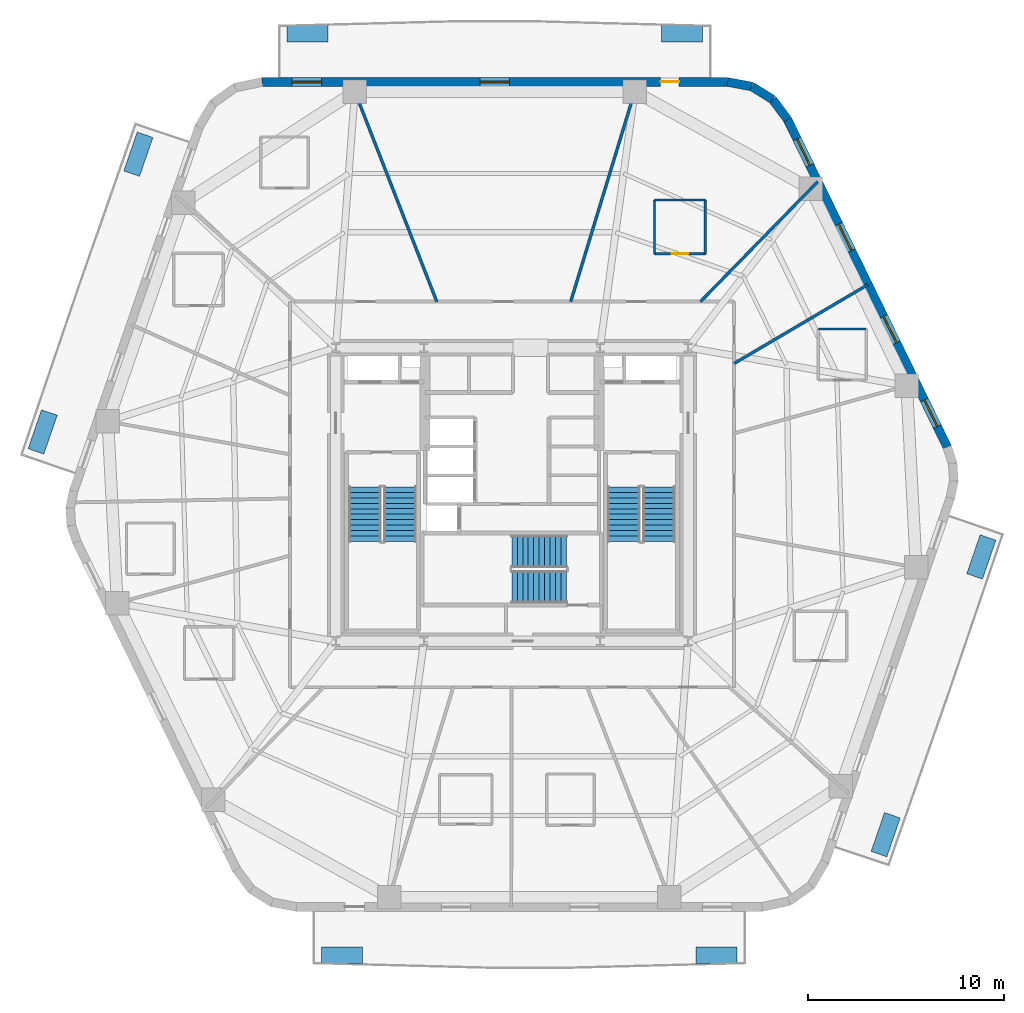
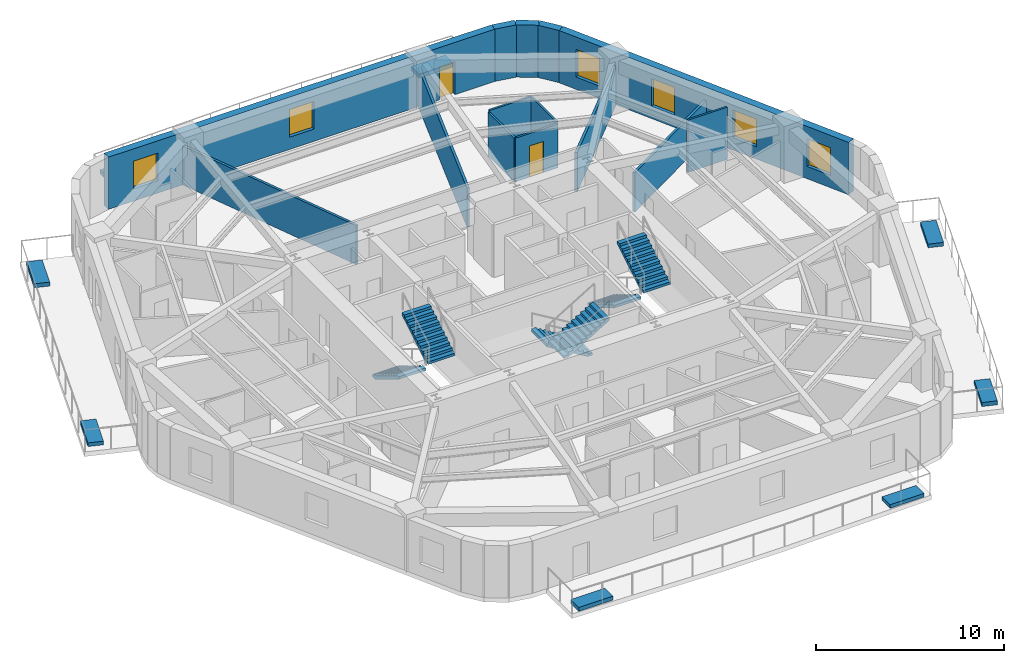
# One storey, part 6 of 8: 14 walls, 8 discrete accessories, 6 stair flights, 6 windows, 2 doors, 8 openings, 3 elements without a shape of their own.
"""IFC4 building model written with IfcOpenShell, lengths in metres."""

from ifc_helpers import new_model, si_unit, direction, frame, frame_2d, origin, origin_2d, place, context, subcontext, project, spatial, polyline, rectangle, outline, extrude, material, layer, layer_set, type_object, element, fill, aggregate, save


model = new_model("IFC4")

# Units and contexts
model_context = context("Model", 3, precision=1e-05, world=origin(), true_north=direction((0.0, 1.0)))
body_context = subcontext(model_context, "Body", "Model", "MODEL_VIEW")
ifc_project = project(units=[si_unit("LENGTHUNIT", "METRE"), si_unit("AREAUNIT", "SQUARE_METRE"), si_unit("VOLUMEUNIT", "CUBIC_METRE"), si_unit("PLANEANGLEUNIT", "RADIAN"), si_unit("MASSUNIT", "GRAM", prefix="KILO")], contexts=[model_context])

# Site, building, storey
site_placement = place(None, origin())
site = spatial("IfcSite", under=ifc_project, at=site_placement, CompositionType="ELEMENT")
building_placement = place(site_placement, origin())
building = spatial("IfcBuilding", under=site, at=building_placement, Name="Kilnhurst Terrace Hotel", CompositionType="ELEMENT")
storey_placement = place(building_placement, frame((0.0, 0.0, 106.199951171875)))
storey = spatial("IfcBuildingStorey", under=building, at=storey_placement, Name="L25", CompositionType="ELEMENT", Elevation=106.199951171875)

# Walls
ifc_material_1 = material(Name="Precast concrete C40/50", Category="concrete")
ifc_layer_1 = layer(ifc_material_1, 0.449951171875, Name="Precast concrete C40/50")
ifc_layer_set_1 = layer_set([ifc_layer_1], Name="Precast concrete C40/50")
wall_type_1 = type_object("IfcWallType", Name="WL-BRK-450", PredefinedType="SOLIDWALL", material=ifc_layer_set_1)
wall_1_placement = place(storey_placement, frame((14.07568359375, 19.16064453125, 0.0), z_axis=(0.0, 0.0, 1.0), x_axis=(-0.597226657159, 0.802072515412, 0.0)))
element("IfcWall", 1, at=wall_1_placement, inside=storey, type_object=wall_type_1, Name="L25 Rounded Corner Brick Wall C4.1", PredefinedType="SOLIDWALL", context=body_context, shape_type="SweptSolid", body=[
    extrude(rectangle(XDim=1.269287109375, YDim=0.449951171875, at=frame_2d((0.634765625, 0.0))), origin(), (0.0, 0.0, 1.0), 3.400146484375),
])
wall_2_placement = place(storey_placement, frame((13.317626953125, 20.1787109375, 0.0), z_axis=(0.0, 0.0, 1.0), x_axis=(-0.848031272749, 0.529946186362, 0.0)))
element("IfcWall", 2, at=wall_2_placement, inside=storey, type_object=wall_type_1, Name="L25 Rounded Corner Brick Wall C4.2", PredefinedType="SOLIDWALL", context=body_context, shape_type="SweptSolid", body=[
    extrude(rectangle(XDim=1.248046875, YDim=0.449951171875, at=frame_2d((0.6240234375, 0.0))), origin(), (0.0, 0.0, 1.0), 3.400146484375),
])
wall_3_placement = place(storey_placement, frame((12.25927734375, 20.840087890625, 0.0), z_axis=(0.0, 0.0, 1.0), x_axis=(-0.982730354425, 0.185043374624, 0.0)))
element("IfcWall", 3, at=wall_3_placement, inside=storey, type_object=wall_type_1, Name="L25 Rounded Corner Brick Wall C4.3", PredefinedType="SOLIDWALL", context=body_context, shape_type="SweptSolid", body=[
    extrude(rectangle(XDim=1.269287109375, YDim=0.449951171875, at=frame_2d((0.634765625, 0.0))), origin(), (0.0, 0.0, 1.0), 3.400146484375),
])

# Wall, openings, windows
wall_4_placement = place(storey_placement, frame((22.237548828125, 2.426513671875, 0.0), z_axis=(0.0, 0.0, 1.0), x_axis=(-0.438374803278, 0.898792262901, 0.0)))
wall_4 = element("IfcWall", 4, at=wall_4_placement, inside=storey, type_object=wall_type_1, Name="L25 Exterior Brick Facade Wall F3", PredefinedType="SOLIDWALL", context=body_context, shape_type="SweptSolid", body=[
    extrude(rectangle(XDim=18.618408203125, YDim=0.449951171875, at=frame_2d((9.30908203125, 0.0))), origin(), (0.0, 0.0, 1.0), 3.400146484375),
])
opening_1_placement = place(wall_4_placement, frame((5.926025390625, 0.0, 0.800048828125)))
opening_1 = element("IfcOpeningElement", 5, at=opening_1_placement, cuts=wall_4, Name="Opening W-02", PredefinedType="OPENING", context=body_context, shape_type="SweptSolid", body=[
    extrude(rectangle(XDim=1.5, YDim=1.800048828125, at=frame_2d((0.75, 0.89990234375))), frame((0.0, 0.23486328125, 0.0), z_axis=(0.0, -1.0, 0.0), x_axis=(1.0, 0.0, 0.0)), (0.0, 0.0, 1.0), 0.469970703125),
])
opening_2_placement = place(wall_4_placement, frame((11.1650390625, 0.0, 0.800048828125)))
opening_2 = element("IfcOpeningElement", 6, at=opening_2_placement, cuts=wall_4, Name="Opening W-02", PredefinedType="OPENING", context=body_context, shape_type="SweptSolid", body=[
    extrude(rectangle(XDim=1.5, YDim=1.800048828125, at=frame_2d((0.75, 0.89990234375))), frame((0.0, 0.23486328125, 0.0), z_axis=(0.0, -1.0, 0.0), x_axis=(1.0, 0.0, 0.0)), (0.0, 0.0, 1.0), 0.469970703125),
])
opening_3_placement = place(wall_4_placement, frame((16.006103515625, 0.0, 0.800048828125)))
opening_3 = element("IfcOpeningElement", 7, at=opening_3_placement, cuts=wall_4, Name="Opening W-02", PredefinedType="OPENING", context=body_context, shape_type="SweptSolid", body=[
    extrude(rectangle(XDim=1.5, YDim=1.800048828125, at=frame_2d((0.75, 0.89990234375))), frame((0.0, 0.23486328125, 0.0), z_axis=(0.0, -1.0, 0.0), x_axis=(1.0, 0.0, 0.0)), (0.0, 0.0, 1.0), 0.469970703125),
])
opening_4_placement = place(wall_4_placement, frame((1.1630859375, 0.0, 0.800048828125)))
opening_4 = element("IfcOpeningElement", 8, at=opening_4_placement, cuts=wall_4, Name="Opening W-02", PredefinedType="OPENING", context=body_context, shape_type="SweptSolid", body=[
    extrude(rectangle(XDim=1.5, YDim=1.800048828125, at=frame_2d((0.75, 0.89990234375))), frame((0.0, 0.23486328125, 0.0), z_axis=(0.0, -1.0, 0.0), x_axis=(1.0, 0.0, 0.0)), (0.0, 0.0, 1.0), 0.469970703125),
])
ifc_material_2 = material(Name="Thermally Broken Bronze Aluminium Alloy 6063-T6 and Low-E Glass", Category="aluminium")
window_type = type_object("IfcWindowType", Name="WIN-1500X1800", PartitioningType="SINGLE_PANEL", PredefinedType="WINDOW", material=ifc_material_2)
window_1_placement = place(opening_1_placement, origin())
window_1 = element("IfcWindow", 9, at=window_1_placement, inside=storey, type_object=window_type, Name="L25 Deep-Set Masonry Window F3.1", OverallHeight=1.800048828125, OverallWidth=1.5, PartitioningType="SINGLE_PANEL", PredefinedType="WINDOW", context=body_context, shape_type="SweptSolid", body=[
    extrude(rectangle(XDim=1.5, YDim=1.800048828125, at=frame_2d((0.75, 0.89990234375))), frame((0.0, 0.030029296875, 0.0), z_axis=(0.0, -1.0, 0.0), x_axis=(1.0, 0.0, 0.0)), (0.0, 0.0, 1.0), 0.06005859375),
])
fill(opening_1, window_1)
window_2_placement = place(opening_2_placement, origin())
window_2 = element("IfcWindow", 10, at=window_2_placement, inside=storey, type_object=window_type, Name="L25 Deep-Set Masonry Window F3.2", OverallHeight=1.800048828125, OverallWidth=1.5, PartitioningType="SINGLE_PANEL", PredefinedType="WINDOW", context=body_context, shape_type="SweptSolid", body=[
    extrude(rectangle(XDim=1.5, YDim=1.800048828125, at=frame_2d((0.75, 0.89990234375))), frame((0.0, 0.030029296875, 0.0), z_axis=(0.0, -1.0, 0.0), x_axis=(1.0, 0.0, 0.0)), (0.0, 0.0, 1.0), 0.06005859375),
])
fill(opening_2, window_2)
window_3_placement = place(opening_3_placement, origin())
window_3 = element("IfcWindow", 11, at=window_3_placement, inside=storey, type_object=window_type, Name="L25 Deep-Set Masonry Window F3.3", OverallHeight=1.800048828125, OverallWidth=1.5, PartitioningType="SINGLE_PANEL", PredefinedType="WINDOW", context=body_context, shape_type="SweptSolid", body=[
    extrude(rectangle(XDim=1.5, YDim=1.800048828125, at=frame_2d((0.75, 0.89990234375))), frame((0.0, 0.030029296875, 0.0), z_axis=(0.0, -1.0, 0.0), x_axis=(1.0, 0.0, 0.0)), (0.0, 0.0, 1.0), 0.06005859375),
])
fill(opening_3, window_3)
window_4_placement = place(opening_4_placement, origin())
window_4 = element("IfcWindow", 12, at=window_4_placement, inside=storey, type_object=window_type, Name="L25 Deep-Set Masonry Window F3.4", OverallHeight=1.800048828125, OverallWidth=1.5, PartitioningType="SINGLE_PANEL", PredefinedType="WINDOW", context=body_context, shape_type="SweptSolid", body=[
    extrude(rectangle(XDim=1.5, YDim=1.800048828125, at=frame_2d((0.75, 0.89990234375))), frame((0.0, 0.030029296875, 0.0), z_axis=(0.0, -1.0, 0.0), x_axis=(1.0, 0.0, 0.0)), (0.0, 0.0, 1.0), 0.06005859375),
])
fill(opening_4, window_4)

# Wall, openings, door, windows
wall_5_placement = place(storey_placement, frame((11.011962890625, 21.074951171875, 0.0), z_axis=(0.0, 0.0, 1.0), x_axis=(-1.0, 0.0, 0.0)))
wall_5 = element("IfcWall", 13, at=wall_5_placement, inside=storey, type_object=wall_type_1, Name="L25 Exterior Brick Facade Wall F4", PredefinedType="SOLIDWALL", context=body_context, shape_type="SweptSolid", body=[
    extrude(rectangle(XDim=23.782470703125, YDim=0.449951171875, at=frame_2d((11.89111328125, 0.0))), origin(), (0.0, 0.0, 1.0), 3.400146484375),
])
opening_5_placement = place(wall_5_placement, frame((2.472900390625, 0.0, 0.0)))
opening_5 = element("IfcOpeningElement", 14, at=opening_5_placement, cuts=wall_5, Name="Opening BD-950", PredefinedType="OPENING", context=body_context, shape_type="SweptSolid", body=[
    extrude(rectangle(XDim=0.949951171875, YDim=2.14990234375, at=frame_2d((0.47509765625, 1.074951171875))), frame((0.0, 0.23486328125, 0.0), z_axis=(0.0, -1.0, 0.0), x_axis=(1.0, 0.0, 0.0)), (0.0, 0.0, 1.0), 0.469970703125),
])
opening_6_placement = place(wall_5_placement, frame((11.14208984375, 0.0, 0.800048828125)))
opening_6 = element("IfcOpeningElement", 15, at=opening_6_placement, cuts=wall_5, Name="Opening W-02", PredefinedType="OPENING", context=body_context, shape_type="SweptSolid", body=[
    extrude(rectangle(XDim=1.5, YDim=1.800048828125, at=frame_2d((0.75, 0.89990234375))), frame((0.0, 0.23486328125, 0.0), z_axis=(0.0, -1.0, 0.0), x_axis=(1.0, 0.0, 0.0)), (0.0, 0.0, 1.0), 0.469970703125),
])
opening_7_placement = place(wall_5_placement, frame((20.740966796875, 0.0, 0.800048828125)))
opening_7 = element("IfcOpeningElement", 16, at=opening_7_placement, cuts=wall_5, Name="Opening W-02", PredefinedType="OPENING", context=body_context, shape_type="SweptSolid", body=[
    extrude(rectangle(XDim=1.5, YDim=1.800048828125, at=frame_2d((0.75, 0.89990234375))), frame((0.0, 0.23486328125, 0.0), z_axis=(0.0, -1.0, 0.0), x_axis=(1.0, 0.0, 0.0)), (0.0, 0.0, 1.0), 0.469970703125),
])
ifc_material_3 = material(Name="Thermally Broken Bronze Aluminium Alloy 6063-T6 and Laminated Glass", Category="aluminium")
door_type_1 = type_object("IfcDoorType", Name="DR-EXT-BAL-950", OperationType="NOTDEFINED", PredefinedType="DOOR", material=ifc_material_3)
door_1_placement = place(opening_5_placement, origin())
door_1 = element("IfcDoor", 17, at=door_1_placement, inside=storey, type_object=door_type_1, Name="L25 Planted Balcony Door BAL-L2A", OperationType="SINGLE_SWING_RIGHT", OverallHeight=2.14990234375, OverallWidth=0.949951171875, PredefinedType="DOOR", context=body_context, shape_type="SweptSolid", body=[
    extrude(rectangle(XDim=0.949951171875, YDim=2.14990234375, at=frame_2d((0.47509765625, 1.074951171875))), frame((0.0, 0.02490234375, 0.0), z_axis=(0.0, -1.0, 0.0), x_axis=(1.0, 0.0, 0.0)), (0.0, 0.0, 1.0), 0.050048828125),
])
fill(opening_5, door_1)
window_5_placement = place(opening_6_placement, origin())
window_5 = element("IfcWindow", 18, at=window_5_placement, inside=storey, type_object=window_type, Name="L25 Deep-Set Masonry Window F4.1", OverallHeight=1.800048828125, OverallWidth=1.5, PartitioningType="SINGLE_PANEL", PredefinedType="WINDOW", context=body_context, shape_type="SweptSolid", body=[
    extrude(rectangle(XDim=1.5, YDim=1.800048828125, at=frame_2d((0.75, 0.89990234375))), frame((0.0, 0.030029296875, 0.0), z_axis=(0.0, -1.0, 0.0), x_axis=(1.0, 0.0, 0.0)), (0.0, 0.0, 1.0), 0.06005859375),
])
fill(opening_6, window_5)
window_6_placement = place(opening_7_placement, origin())
window_6 = element("IfcWindow", 19, at=window_6_placement, inside=storey, type_object=window_type, Name="L25 Deep-Set Masonry Window F4.2", OverallHeight=1.800048828125, OverallWidth=1.5, PartitioningType="SINGLE_PANEL", PredefinedType="WINDOW", context=body_context, shape_type="SweptSolid", body=[
    extrude(rectangle(XDim=1.5, YDim=1.800048828125, at=frame_2d((0.75, 0.89990234375))), frame((0.0, 0.030029296875, 0.0), z_axis=(0.0, -1.0, 0.0), x_axis=(1.0, 0.0, 0.0)), (0.0, 0.0, 1.0), 0.06005859375),
])
fill(opening_7, window_6)

# Walls
ifc_material_4 = material(Name="STC-58 Acoustic Twin-Frame Guestroom Demising Partition")
ifc_layer_2 = layer(ifc_material_4, 0.14990234375, Name="STC-58 Acoustic Twin-Frame Guestroom Demising Partition")
ifc_layer_set_2 = layer_set([ifc_layer_2], Name="STC-58 Acoustic Twin-Frame Guestroom Demising Partition")
wall_type_2 = type_object("IfcWallType", Name="WL-DEM-150", PredefinedType="PARTITIONING", material=ifc_layer_set_2)
wall_6_placement = place(storey_placement, frame((11.35009765625, 6.69091796875, 0.0), z_axis=(0.0, 0.0, 1.0), x_axis=(0.861446954497, 0.507847560383, 0.0)))
element("IfcWall", 20, at=wall_6_placement, inside=storey, type_object=wall_type_2, Name="L25 Interior Wall WL-L25-DEM-MID01-02-1", PredefinedType="PARTITIONING", context=body_context, shape_type="SweptSolid", body=[
    extrude(rectangle(XDim=7.94091796875, YDim=0.14990234375, at=frame_2d((3.970458984375, 0.0))), origin(), (0.0, 0.0, 1.0), 2.5400390625),
])
wall_7_placement = place(storey_placement, frame((9.6279296875, 9.85009765625, 0.0), z_axis=(0.0, 0.0, 1.0), x_axis=(0.698992824326, 0.715128681805, 0.0)))
element("IfcWall", 21, at=wall_7_placement, inside=storey, type_object=wall_type_2, Name="L25 Interior Wall WL-L25-DEM-COL02-03-1", PredefinedType="PARTITIONING", context=body_context, shape_type="SweptSolid", body=[
    extrude(rectangle(XDim=8.578857421875, YDim=0.14990234375, at=frame_2d((4.28955078125, 0.0))), origin(), (0.0, 0.0, 1.0), 2.5400390625),
])
wall_8_placement = place(storey_placement, frame((3.0, 9.85009765625, 0.0), z_axis=(0.0, 0.0, 1.0), x_axis=(0.291352035382, 0.95661590593, 0.0)))
element("IfcWall", 22, at=wall_8_placement, inside=storey, type_object=wall_type_2, Name="L25 Interior Wall WL-L25-DEM-COL03-04-1", PredefinedType="PARTITIONING", context=body_context, shape_type="SweptSolid", body=[
    extrude(rectangle(XDim=11.73388671875, YDim=0.14990234375, at=frame_2d((5.866943359375, 0.0))), origin(), (0.0, 0.0, 1.0), 2.5400390625),
])
wall_9_placement = place(storey_placement, frame((-3.84228515625, 9.85009765625, 0.0), z_axis=(0.0, 0.0, 1.0), x_axis=(-0.363432685593, 0.931620460833, 0.0)))
element("IfcWall", 23, at=wall_9_placement, inside=storey, type_object=wall_type_2, Name="L25 Interior Wall WL-L25-DEM-COL04-05-1", PredefinedType="PARTITIONING", context=body_context, shape_type="SweptSolid", body=[
    extrude(rectangle(XDim=12.048828125, YDim=0.14990234375, at=frame_2d((6.0244140625, 0.0))), origin(), (0.0, 0.0, 1.0), 2.5400390625),
])
ifc_material_5 = material(Name="120 mm Moisture-Resistant Tile-Backed Bathroom Partition")
ifc_layer_3 = layer(ifc_material_5, 0.1201171875, Name="120 mm Moisture-Resistant Tile-Backed Bathroom Partition")
ifc_layer_set_3 = layer_set([ifc_layer_3], Name="120 mm Moisture-Resistant Tile-Backed Bathroom Partition")
wall_type_3 = type_object("IfcWallType", Name="WL-PART-120", PredefinedType="PARTITIONING", material=ifc_layer_set_3)
wall_10_placement = place(storey_placement, frame((18.093994140625, 8.4560546875, 0.0), z_axis=(0.0, 0.0, 1.0), x_axis=(-1.0, 0.0, 0.0)))
element("IfcWall", 24, at=wall_10_placement, inside=storey, type_object=wall_type_3, Name="L25 Interior Wall WL-L25-BTH-01-3", PredefinedType="PARTITIONING", context=body_context, shape_type="SweptSolid", body=[
    extrude(rectangle(XDim=2.43994140625, YDim=0.1201171875, at=frame_2d((1.219970703125, 0.0))), origin(), (0.0, 0.0, 1.0), 3.400146484375),
])

# Wall, opening, door
wall_11_placement = place(storey_placement, frame((7.277099609375, 12.294921875, 0.0), z_axis=(0.0, 0.0, 1.0), x_axis=(1.0, 0.0, 0.0)))
wall_11 = element("IfcWall", 25, at=wall_11_placement, inside=storey, type_object=wall_type_3, Name="L25 Interior Wall WL-L25-BTH-03-1", PredefinedType="PARTITIONING", context=body_context, shape_type="SweptSolid", body=[
    extrude(rectangle(XDim=2.599853515625, YDim=0.1201171875, at=frame_2d((1.2998046875, 0.0))), origin(), (0.0, 0.0, 1.0), 2.84033203125),
])
opening_8_placement = place(wall_11_placement, frame((0.875, 0.0, 0.0)))
opening_8 = element("IfcOpeningElement", 26, at=opening_8_placement, cuts=wall_11, Name="Opening D-08A", PredefinedType="OPENING", context=body_context, shape_type="SweptSolid", body=[
    extrude(rectangle(XDim=0.85009765625, YDim=2.030029296875, at=frame_2d((0.425048828125, 1.01513671875))), frame((0.0, 0.070068359375, 0.0), z_axis=(0.0, -1.0, 0.0), x_axis=(1.0, 0.0, 0.0)), (0.0, 0.0, 1.0), 0.14013671875),
])
ifc_material_6 = material(Name="Moisture-Resistant Lacquered En-suite Bathroom Door")
door_type_2 = type_object("IfcDoorType", Name="DR-INT-850", OperationType="NOTDEFINED", PredefinedType="DOOR", material=ifc_material_6)
door_2_placement = place(opening_8_placement, origin())
door_2 = element("IfcDoor", 27, at=door_2_placement, inside=storey, type_object=door_type_2, Name="L25 En-suite Bathroom Door 3", OperationType="SINGLE_SWING_RIGHT", OverallHeight=2.030029296875, OverallWidth=0.85009765625, PredefinedType="DOOR", context=body_context, shape_type="SweptSolid", body=[
    extrude(rectangle(XDim=0.85009765625, YDim=2.030029296875, at=frame_2d((0.425048828125, 1.01513671875))), frame((0.0, 0.02490234375, 0.0), z_axis=(0.0, -1.0, 0.0), x_axis=(1.0, 0.0, 0.0)), (0.0, 0.0, 1.0), 0.050048828125),
])
fill(opening_8, door_2)

# Walls
wall_12_placement = place(storey_placement, frame((9.876953125, 12.294921875, 0.0), z_axis=(0.0, 0.0, 1.0), x_axis=(0.0, 1.0, 0.0)))
element("IfcWall", 28, at=wall_12_placement, inside=storey, type_object=wall_type_3, Name="L25 Interior Wall WL-L25-BTH-03-2", PredefinedType="PARTITIONING", context=body_context, shape_type="SweptSolid", body=[
    extrude(rectangle(XDim=2.75, YDim=0.1201171875, at=frame_2d((1.375, 0.0))), origin(), (0.0, 0.0, 1.0), 2.972412109375),
])
wall_13_placement = place(storey_placement, frame((9.876953125, 15.044921875, 0.0), z_axis=(0.0, 0.0, 1.0), x_axis=(-1.0, 0.0, 0.0)))
element("IfcWall", 29, at=wall_13_placement, inside=storey, type_object=wall_type_3, Name="L25 Interior Wall WL-L25-BTH-03-3", PredefinedType="PARTITIONING", context=body_context, shape_type="SweptSolid", body=[
    extrude(rectangle(XDim=2.599853515625, YDim=0.1201171875, at=frame_2d((1.2998046875, 0.0))), origin(), (0.0, 0.0, 1.0), 2.972412109375),
])
wall_14_placement = place(storey_placement, frame((7.277099609375, 15.044921875, 0.0), z_axis=(0.0, 0.0, 1.0), x_axis=(0.0, -1.0, 0.0)))
element("IfcWall", 30, at=wall_14_placement, inside=storey, type_object=wall_type_3, Name="L25 Interior Wall WL-L25-BTH-03-4", PredefinedType="PARTITIONING", context=body_context, shape_type="SweptSolid", body=[
    extrude(rectangle(XDim=2.75, YDim=0.1201171875, at=frame_2d((1.375, 0.0))), origin(), (0.0, 0.0, 1.0), 2.84033203125),
])

# Stair, stair flights
ifc_material_7 = material(Name="Concrete C50/60", Category="concrete")
stair_type = type_object("IfcStairType", Name="STR-CORE-1660", PredefinedType="HALF_TURN_STAIR", material=ifc_material_7)
stair_1_placement = place(storey_placement, origin())
stair_1 = element("IfcStair", 31, at=stair_1_placement, inside=storey, type_object=stair_type, Name="L25 ST-1", PredefinedType="HALF_TURN_STAIR")
stair_flight_type = type_object("IfcStairFlightType", Name="FLT-RC-1660", PredefinedType="STRAIGHT", material=ifc_material_7)
stair_flight_1_placement = place(storey_placement, frame((-7.52001953125, 0.389892578125, 0.0), z_axis=(0.0, 0.0, 1.0), x_axis=(0.0, -1.0, 0.0)))
stair_flight_1 = element("IfcStairFlight", 32, at=stair_flight_1_placement, type_object=stair_flight_type, Name="ST-1 flight 1", NumberOfRisers=11, NumberOfTreads=10, PredefinedType="STRAIGHT", RiserHeight=0.168181818, TreadLength=0.28, context=body_context, shape_type="SweptSolid", body=[
    extrude(outline(polyline([(0.0, 0.0), (0.0, 0.168212890625), (0.280029296875, 0.168212890625), (0.280029296875, 0.33642578125), (0.56005859375, 0.33642578125), (0.56005859375, 0.504638671875), (0.840087890625, 0.504638671875), (0.840087890625, 0.672607421875), (1.1201171875, 0.672607421875), (1.1201171875, 0.8408203125), (1.39990234375, 0.8408203125), (1.39990234375, 1.009033203125), (1.679931640625, 1.009033203125), (1.679931640625, 1.17724609375), (1.9599609375, 1.17724609375), (1.9599609375, 1.345458984375), (2.239990234375, 1.345458984375), (2.239990234375, 1.513671875), (2.52001953125, 1.513671875), (2.52001953125, 1.681884765625), (2.800048828125, 1.681884765625), (2.800048828125, 1.85009765625), (2.800048828125, 1.5068359375), (0.291015625, 0.0), (0.0, 0.0)])), frame((0.0, 0.830078125, 0.0), z_axis=(0.0, -1.0, 0.0), x_axis=(1.0, 0.0, 0.0)), (0.0, 0.0, 1.0), 1.659912109375),
])
stair_flight_2_placement = place(storey_placement, frame((-5.7099609375, -2.409912109375, 1.85009765625), z_axis=(0.0, 0.0, 1.0), x_axis=(0.0, 1.0, 0.0)))
stair_flight_2 = element("IfcStairFlight", 33, at=stair_flight_2_placement, type_object=stair_flight_type, Name="ST-1 flight 2", NumberOfRisers=11, NumberOfTreads=10, PredefinedType="STRAIGHT", RiserHeight=0.168181818, TreadLength=0.28, context=body_context, shape_type="SweptSolid", body=[
    extrude(outline(polyline([(0.0, 0.0), (0.0, 0.168212890625), (0.280029296875, 0.168212890625), (0.280029296875, 0.33642578125), (0.56005859375, 0.33642578125), (0.56005859375, 0.504638671875), (0.840087890625, 0.504638671875), (0.840087890625, 0.672607421875), (1.1201171875, 0.672607421875), (1.1201171875, 0.8408203125), (1.39990234375, 0.8408203125), (1.39990234375, 1.009033203125), (1.679931640625, 1.009033203125), (1.679931640625, 1.17724609375), (1.9599609375, 1.17724609375), (1.9599609375, 1.345458984375), (2.239990234375, 1.345458984375), (2.239990234375, 1.513671875), (2.52001953125, 1.513671875), (2.52001953125, 1.681884765625), (2.800048828125, 1.681884765625), (2.800048828125, 1.85009765625), (2.800048828125, 1.5068359375), (0.291015625, 0.0), (0.0, 0.0)])), frame((0.0, 0.830078125, 0.0), z_axis=(0.0, -1.0, 0.0), x_axis=(1.0, 0.0, 0.0)), (0.0, 0.0, 1.0), 1.659912109375),
])
aggregate(stair_1, [stair_flight_1, stair_flight_2])

stair_2_placement = place(storey_placement, origin())
stair_2 = element("IfcStair", 34, at=stair_2_placement, inside=storey, type_object=stair_type, Name="L25 ST-2", PredefinedType="HALF_TURN_STAIR")
stair_flight_3_placement = place(storey_placement, frame((5.7099609375, 0.389892578125, 0.0), z_axis=(0.0, 0.0, 1.0), x_axis=(0.0, -1.0, 0.0)))
stair_flight_3 = element("IfcStairFlight", 35, at=stair_flight_3_placement, type_object=stair_flight_type, Name="ST-2 flight 1", NumberOfRisers=11, NumberOfTreads=10, PredefinedType="STRAIGHT", RiserHeight=0.168181818, TreadLength=0.28, context=body_context, shape_type="SweptSolid", body=[
    extrude(outline(polyline([(0.0, 0.0), (0.0, 0.168212890625), (0.280029296875, 0.168212890625), (0.280029296875, 0.33642578125), (0.56005859375, 0.33642578125), (0.56005859375, 0.504638671875), (0.840087890625, 0.504638671875), (0.840087890625, 0.672607421875), (1.1201171875, 0.672607421875), (1.1201171875, 0.8408203125), (1.39990234375, 0.8408203125), (1.39990234375, 1.009033203125), (1.679931640625, 1.009033203125), (1.679931640625, 1.17724609375), (1.9599609375, 1.17724609375), (1.9599609375, 1.345458984375), (2.239990234375, 1.345458984375), (2.239990234375, 1.513671875), (2.52001953125, 1.513671875), (2.52001953125, 1.681884765625), (2.800048828125, 1.681884765625), (2.800048828125, 1.85009765625), (2.800048828125, 1.5068359375), (0.291015625, 0.0), (0.0, 0.0)])), frame((0.0, 0.830078125, 0.0), z_axis=(0.0, -1.0, 0.0), x_axis=(1.0, 0.0, 0.0)), (0.0, 0.0, 1.0), 1.659912109375),
])
stair_flight_4_placement = place(storey_placement, frame((7.52001953125, -2.409912109375, 1.85009765625), z_axis=(0.0, 0.0, 1.0), x_axis=(0.0, 1.0, 0.0)))
stair_flight_4 = element("IfcStairFlight", 36, at=stair_flight_4_placement, type_object=stair_flight_type, Name="ST-2 flight 2", NumberOfRisers=11, NumberOfTreads=10, PredefinedType="STRAIGHT", RiserHeight=0.168181818, TreadLength=0.28, context=body_context, shape_type="SweptSolid", body=[
    extrude(outline(polyline([(0.0, 0.0), (0.0, 0.168212890625), (0.280029296875, 0.168212890625), (0.280029296875, 0.33642578125), (0.56005859375, 0.33642578125), (0.56005859375, 0.504638671875), (0.840087890625, 0.504638671875), (0.840087890625, 0.672607421875), (1.1201171875, 0.672607421875), (1.1201171875, 0.8408203125), (1.39990234375, 0.8408203125), (1.39990234375, 1.009033203125), (1.679931640625, 1.009033203125), (1.679931640625, 1.17724609375), (1.9599609375, 1.17724609375), (1.9599609375, 1.345458984375), (2.239990234375, 1.345458984375), (2.239990234375, 1.513671875), (2.52001953125, 1.513671875), (2.52001953125, 1.681884765625), (2.800048828125, 1.681884765625), (2.800048828125, 1.85009765625), (2.800048828125, 1.5068359375), (0.291015625, 0.0), (0.0, 0.0)])), frame((0.0, 0.830078125, 0.0), z_axis=(0.0, -1.0, 0.0), x_axis=(1.0, 0.0, 0.0)), (0.0, 0.0, 1.0), 1.659912109375),
])
aggregate(stair_2, [stair_flight_3, stair_flight_4])

stair_3_placement = place(storey_placement, origin())
stair_3 = element("IfcStair", 37, at=stair_3_placement, inside=storey, type_object=stair_type, Name="L25 ST-3", PredefinedType="HALF_TURN_STAIR")
stair_flight_5_placement = place(storey_placement, frame((2.7900390625, -2.909912109375, 0.0), z_axis=(0.0, 0.0, 1.0), x_axis=(-1.0, 0.0, 0.0)))
stair_flight_5 = element("IfcStairFlight", 38, at=stair_flight_5_placement, type_object=stair_flight_type, Name="ST-3 flight 1", NumberOfRisers=11, NumberOfTreads=10, PredefinedType="STRAIGHT", RiserHeight=0.168181818, TreadLength=0.28, context=body_context, shape_type="SweptSolid", body=[
    extrude(outline(polyline([(0.0, 0.0), (0.0, 0.168212890625), (0.280029296875, 0.168212890625), (0.280029296875, 0.33642578125), (0.56005859375, 0.33642578125), (0.56005859375, 0.504638671875), (0.840087890625, 0.504638671875), (0.840087890625, 0.672607421875), (1.1201171875, 0.672607421875), (1.1201171875, 0.8408203125), (1.39990234375, 0.8408203125), (1.39990234375, 1.009033203125), (1.679931640625, 1.009033203125), (1.679931640625, 1.17724609375), (1.9599609375, 1.17724609375), (1.9599609375, 1.345458984375), (2.239990234375, 1.345458984375), (2.239990234375, 1.513671875), (2.52001953125, 1.513671875), (2.52001953125, 1.681884765625), (2.800048828125, 1.681884765625), (2.800048828125, 1.85009765625), (2.800048828125, 1.5068359375), (0.291015625, 0.0), (0.0, 0.0)])), frame((0.0, 0.830078125, 0.0), z_axis=(0.0, -1.0, 0.0), x_axis=(1.0, 0.0, 0.0)), (0.0, 0.0, 1.0), 1.659912109375),
])
stair_flight_6_placement = place(storey_placement, frame((-0.010009765625, -4.719970703125, 1.85009765625), z_axis=(0.0, 0.0, 1.0), x_axis=(1.0, 0.0, 0.0)))
stair_flight_6 = element("IfcStairFlight", 39, at=stair_flight_6_placement, type_object=stair_flight_type, Name="ST-3 flight 2", NumberOfRisers=11, NumberOfTreads=10, PredefinedType="STRAIGHT", RiserHeight=0.168181818, TreadLength=0.28, context=body_context, shape_type="SweptSolid", body=[
    extrude(outline(polyline([(0.0, 0.0), (0.0, 0.168212890625), (0.280029296875, 0.168212890625), (0.280029296875, 0.33642578125), (0.56005859375, 0.33642578125), (0.56005859375, 0.504638671875), (0.840087890625, 0.504638671875), (0.840087890625, 0.672607421875), (1.1201171875, 0.672607421875), (1.1201171875, 0.8408203125), (1.39990234375, 0.8408203125), (1.39990234375, 1.009033203125), (1.679931640625, 1.009033203125), (1.679931640625, 1.17724609375), (1.9599609375, 1.17724609375), (1.9599609375, 1.345458984375), (2.239990234375, 1.345458984375), (2.239990234375, 1.513671875), (2.52001953125, 1.513671875), (2.52001953125, 1.681884765625), (2.800048828125, 1.681884765625), (2.800048828125, 1.85009765625), (2.800048828125, 1.5068359375), (0.291015625, 0.0), (0.0, 0.0)])), frame((0.0, 0.830078125, 0.0), z_axis=(0.0, -1.0, 0.0), x_axis=(1.0, 0.0, 0.0)), (0.0, 0.0, 1.0), 1.659912109375),
])
aggregate(stair_3, [stair_flight_5, stair_flight_6])

# Discrete accessories
ifc_material_8 = material(Name="Precast Concrete C40/50 Shrub Planter", Category="concrete")
discrete_accessory_type_1 = type_object("IfcDiscreteAccessoryType", Name="PLN-SHRUB-240", PredefinedType="USERDEFINED", material=ifc_material_8)
for number, where, z_axis, x_axis, name in (
    (40, (10.443603515625, -23.550048828125, 0.0), (0.0, 0.0, 1.0), (1.0, 0.0, 0.0), "L25 Structural Tree Planter Box PLANTER BAL-L1A.2"),
    (41, (23.9765625, -3.193115234375, 0.0), (0.0, 0.0, 1.0), (0.325601159083, 0.945507210551, 0.0), "L25 Structural Tree Planter Box PLANTER BAL-L1B.2"),
    (42, (-10.443603515625, 23.550048828125, 0.0), (0.0, 0.0, 1.0), (-1.0, 0.0, 0.0), "L25 Structural Tree Planter Box PLANTER BAL-L2A.2"),
    (43, (-23.9765625, 3.193115234375, 0.0), (0.0, 0.0, 1.0), (-0.325601159083, -0.945507210551, 0.0), "L25 Structural Tree Planter Box PLANTER BAL-L2B.2"),
):
    element("IfcDiscreteAccessory", number, at=place(storey_placement, frame(where, z_axis=z_axis, x_axis=x_axis)), inside=storey, type_object=discrete_accessory_type_1, Name=name, ObjectType="PLANTER", PredefinedType="USERDEFINED", context=body_context, shape_type="SweptSolid", body=[
        extrude(rectangle(XDim=2.10009765625, YDim=0.85009765625, at=origin_2d()), origin(), (0.0, 0.0, 1.0), 0.239990234375),
    ])
ifc_material_9 = material(Name="Precast Concrete C40/50 Tree Planter", Category="concrete")
discrete_accessory_type_2 = type_object("IfcDiscreteAccessoryType", Name="PLN-TREE-260", PredefinedType="USERDEFINED", material=ifc_material_9)
for number, where, z_axis, x_axis, name in (
    (44, (-8.68310546875, -23.550048828125, 0.0), (0.0, 0.0, 1.0), (1.0, 0.0, 0.0), "L25 Structural Tree Planter Box PLANTER BAL-L1A.1"),
    (45, (19.090087890625, -17.3828125, 0.0), (0.0, 0.0, 1.0), (0.325601159083, 0.945507210551, 0.0), "L25 Structural Tree Planter Box PLANTER BAL-L1B.1"),
    (46, (8.68310546875, 23.550048828125, 0.0), (0.0, 0.0, 1.0), (-1.0, 0.0, 0.0), "L25 Structural Tree Planter Box PLANTER BAL-L2A.1"),
    (47, (-19.090087890625, 17.3828125, 0.0), (0.0, 0.0, 1.0), (-0.325601159083, -0.945507210551, 0.0), "L25 Structural Tree Planter Box PLANTER BAL-L2B.1"),
):
    element("IfcDiscreteAccessory", number, at=place(storey_placement, frame(where, z_axis=z_axis, x_axis=x_axis)), inside=storey, type_object=discrete_accessory_type_2, Name=name, ObjectType="PLANTER", PredefinedType="USERDEFINED", context=body_context, shape_type="SweptSolid", body=[
        extrude(rectangle(XDim=2.10009765625, YDim=0.85009765625, at=origin_2d()), origin(), (0.0, 0.0, 1.0), 0.260009765625),
    ])

save(model, "model.ifc")
